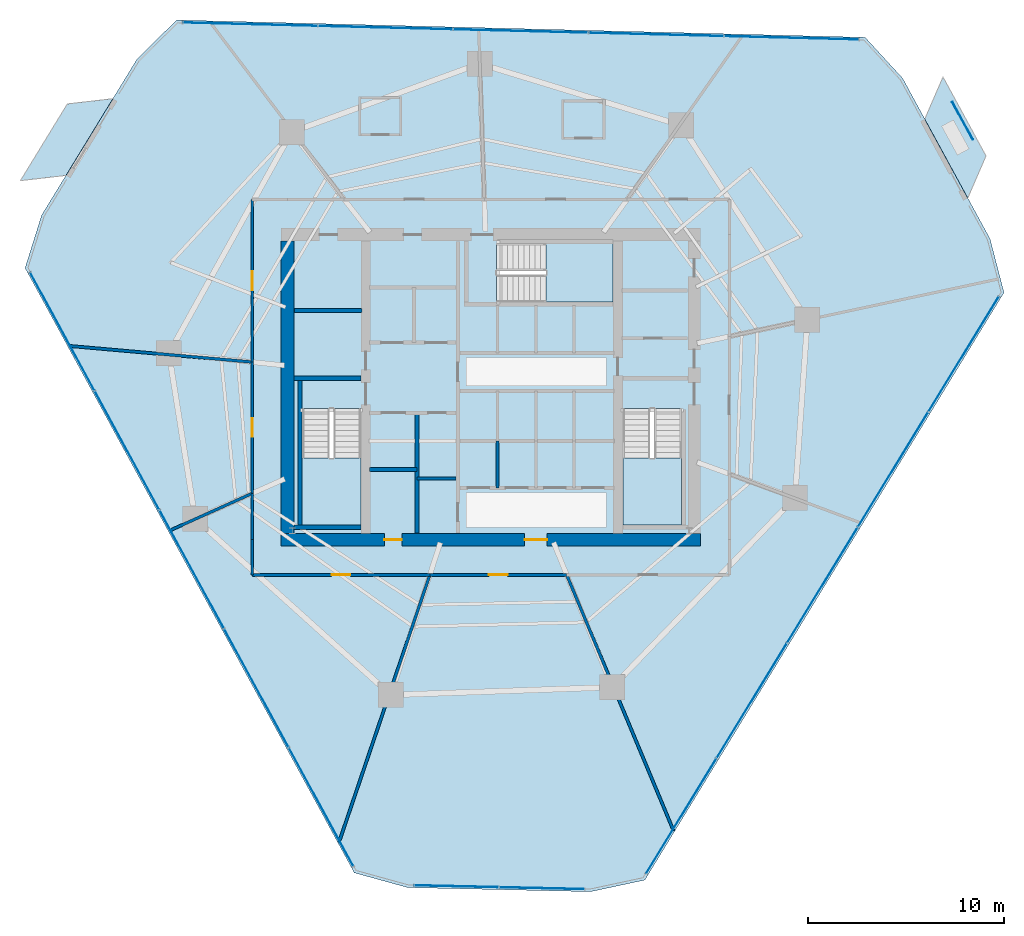
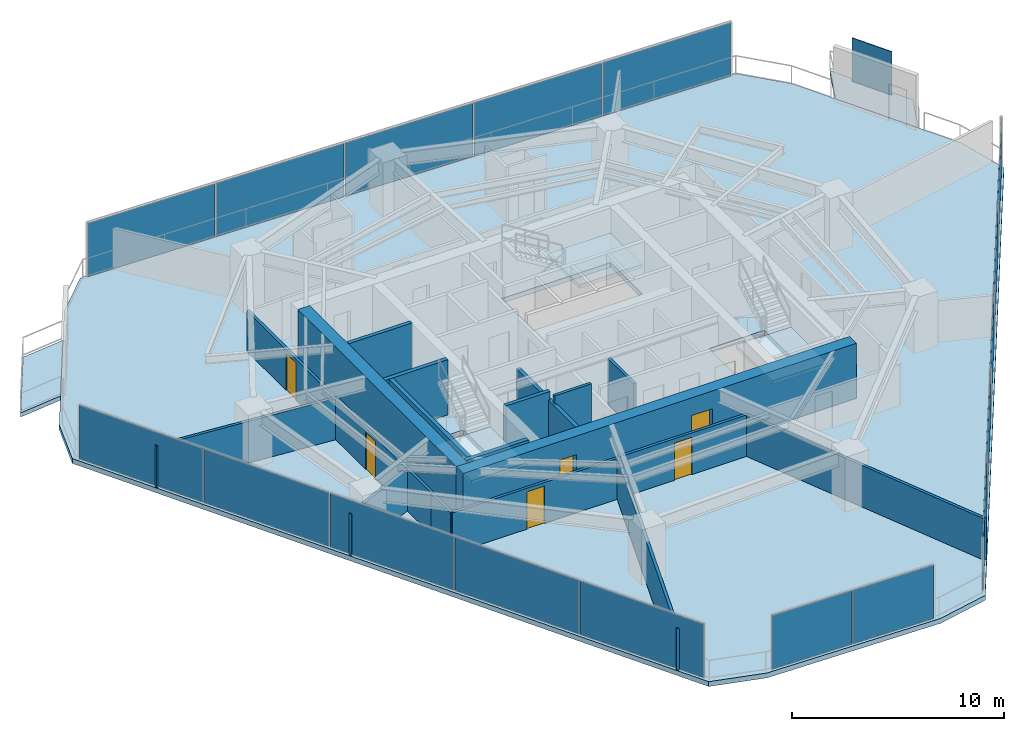
# One storey, part 23 of 30: 20 walls, 18 plates, 6 doors, 6 slabs, 6 openings, 7 elements without a shape of their own.
"""IFC4 building model written with IfcOpenShell, lengths in metres."""

from ifc_helpers import new_model, si_unit, direction, frame, frame_2d, origin, origin_2d, place, context, subcontext, project, spatial, polyline, rectangle, outline, extrude, material, layer, layer_set, type_object, element, fill, aggregate, save


model = new_model("IFC4")

# Units and contexts
model_context = context("Model", 3, precision=1e-05, world=origin(), true_north=direction((0.0, 1.0)))
body_context = subcontext(model_context, "Body", "Model", "MODEL_VIEW")
ifc_project = project(units=[si_unit("LENGTHUNIT", "METRE"), si_unit("AREAUNIT", "SQUARE_METRE"), si_unit("VOLUMEUNIT", "CUBIC_METRE"), si_unit("PLANEANGLEUNIT", "RADIAN"), si_unit("MASSUNIT", "GRAM", prefix="KILO")], contexts=[model_context])

# Site, building, storey
site_placement = place(None, origin())
site = spatial("IfcSite", under=ifc_project, at=site_placement, CompositionType="ELEMENT")
building_placement = place(site_placement, origin())
building = spatial("IfcBuilding", under=site, at=building_placement, Name="Qarnah Convention Tower", CompositionType="ELEMENT")
storey_placement = place(building_placement, frame((0.0, 0.0, 61.5)))
storey = spatial("IfcBuildingStorey", under=building, at=storey_placement, Name="L15", CompositionType="ELEMENT", Elevation=61.5)

# Curtain wall, plates
ifc_material_1 = material(Name="Tempered Low-E dark glass", Category="glass")
ifc_layer_1 = layer(ifc_material_1, 0.16796875)
ifc_layer_set_1 = layer_set([ifc_layer_1], Name="Tempered Low-E dark glass")
curtain_wall_type = type_object("IfcCurtainWallType", Name="CWS-01", PredefinedType="NOTDEFINED", material=ifc_layer_set_1)
curtain_wall_1_placement = place(storey_placement, origin())
curtain_wall_1 = element("IfcCurtainWall", 1, at=curtain_wall_1_placement, inside=storey, type_object=curtain_wall_type, Name="L15 unitised curtain wall CW-L15-F1", PredefinedType="NOTDEFINED")
ifc_layer_2 = layer(ifc_material_1, 0.028076171875)
ifc_layer_set_2 = layer_set([ifc_layer_2], Name="Tempered Low-E dark glass")
plate_type_1 = type_object("IfcPlateType", Name="PNL-T1", PredefinedType="CURTAIN_PANEL", material=ifc_layer_set_2)
plate_1_placement = place(storey_placement, frame((24.89208984375, 44.9580078125, 0.0400390625), z_axis=(0.0, 0.0, 1.0), x_axis=(0.999684752198, -0.025107692487, 0.0)))
plate_1 = element("IfcPlate", 2, at=plate_1_placement, type_object=plate_type_1, Name="CW-L15-F1 curtain panel 1.1", PredefinedType="CURTAIN_PANEL", context=body_context, shape_type="SweptSolid", body=[
    extrude(rectangle(XDim=6.84228515625, YDim=0.028076171875, at=origin_2d()), origin(), (0.0, 0.0, 1.0), 3.090087890625),
])
plate_2_placement = place(storey_placement, frame((31.81201171875, 44.7841796875, 0.0400390625), z_axis=(0.0, 0.0, 1.0), x_axis=(0.999684752198, -0.025107692487, 0.0)))
plate_2 = element("IfcPlate", 3, at=plate_2_placement, type_object=plate_type_1, Name="CW-L15-F1 curtain panel 2.1", PredefinedType="CURTAIN_PANEL", context=body_context, shape_type="SweptSolid", body=[
    extrude(rectangle(XDim=6.84228515625, YDim=0.028076171875, at=origin_2d()), origin(), (0.0, 0.0, 1.0), 3.090087890625),
])
plate_3_placement = place(storey_placement, frame((38.73193359375, 44.610595703125, 0.0400390625), z_axis=(0.0, 0.0, 1.0), x_axis=(0.999684752198, -0.025107692487, 0.0)))
plate_3 = element("IfcPlate", 4, at=plate_3_placement, type_object=plate_type_1, Name="CW-L15-F1 curtain panel 3.1", PredefinedType="CURTAIN_PANEL", context=body_context, shape_type="SweptSolid", body=[
    extrude(rectangle(XDim=6.84228515625, YDim=0.028076171875, at=origin_2d()), origin(), (0.0, 0.0, 1.0), 3.090087890625),
])
plate_4_placement = place(storey_placement, frame((45.652099609375, 44.436767578125, 0.0400390625), z_axis=(0.0, 0.0, 1.0), x_axis=(0.999684752198, -0.025107692487, 0.0)))
plate_4 = element("IfcPlate", 5, at=plate_4_placement, type_object=plate_type_1, Name="CW-L15-F1 curtain panel 4.1", PredefinedType="CURTAIN_PANEL", context=body_context, shape_type="SweptSolid", body=[
    extrude(rectangle(XDim=6.84228515625, YDim=0.028076171875, at=origin_2d()), origin(), (0.0, 0.0, 1.0), 3.090087890625),
])
plate_5_placement = place(storey_placement, frame((52.572021484375, 44.262939453125, 0.0400390625), z_axis=(0.0, 0.0, 1.0), x_axis=(0.999684752198, -0.025107692487, 0.0)))
plate_5 = element("IfcPlate", 6, at=plate_5_placement, type_object=plate_type_1, Name="CW-L15-F1 curtain panel 5.1", PredefinedType="CURTAIN_PANEL", context=body_context, shape_type="SweptSolid", body=[
    extrude(rectangle(XDim=6.84228515625, YDim=0.028076171875, at=origin_2d()), origin(), (0.0, 0.0, 1.0), 3.090087890625),
])
aggregate(curtain_wall_1, [plate_1, plate_2, plate_3, plate_4, plate_5])

curtain_wall_2_placement = place(storey_placement, origin())
curtain_wall_2 = element("IfcCurtainWall", 7, at=curtain_wall_2_placement, inside=storey, type_object=curtain_wall_type, Name="L15 unitised curtain wall CW-L15-F2", PredefinedType="NOTDEFINED")
plate_6_placement = place(storey_placement, frame((61.375732421875, 28.088134765625, 0.0400390625), z_axis=(0.0, 0.0, 1.0), x_axis=(-0.52160777824, -0.853185399359, 0.0)))
plate_6 = element("IfcPlate", 8, at=plate_6_placement, type_object=plate_type_1, Name="CW-L15-F2 curtain panel 1.1", PredefinedType="CURTAIN_PANEL", context=body_context, shape_type="SweptSolid", body=[
    extrude(rectangle(XDim=6.842041015625, YDim=0.028076171875, at=origin_2d()), origin(), (0.0, 0.0, 1.0), 3.090087890625),
])
plate_7_placement = place(storey_placement, frame((57.76513671875, 22.182373046875, 0.0400390625), z_axis=(0.0, 0.0, 1.0), x_axis=(-0.52160777824, -0.853185399359, 0.0)))
plate_7 = element("IfcPlate", 9, at=plate_7_placement, type_object=plate_type_1, Name="CW-L15-F2 curtain panel 2.1", PredefinedType="CURTAIN_PANEL", context=body_context, shape_type="SweptSolid", body=[
    extrude(rectangle(XDim=6.842041015625, YDim=0.028076171875, at=origin_2d()), origin(), (0.0, 0.0, 1.0), 3.090087890625),
])
plate_8_placement = place(storey_placement, frame((54.154541015625, 16.276611328125, 0.0400390625), z_axis=(0.0, 0.0, 1.0), x_axis=(-0.52160777824, -0.853185399359, 0.0)))
plate_8 = element("IfcPlate", 10, at=plate_8_placement, type_object=plate_type_1, Name="CW-L15-F2 curtain panel 3.1", PredefinedType="CURTAIN_PANEL", context=body_context, shape_type="SweptSolid", body=[
    extrude(rectangle(XDim=6.842041015625, YDim=0.028076171875, at=origin_2d()), origin(), (0.0, 0.0, 1.0), 3.090087890625),
])
plate_9_placement = place(storey_placement, frame((50.5439453125, 10.37060546875, 0.0400390625), z_axis=(0.0, 0.0, 1.0), x_axis=(-0.52160777824, -0.853185399359, 0.0)))
plate_9 = element("IfcPlate", 11, at=plate_9_placement, type_object=plate_type_1, Name="CW-L15-F2 curtain panel 4.1", PredefinedType="CURTAIN_PANEL", context=body_context, shape_type="SweptSolid", body=[
    extrude(rectangle(XDim=6.842041015625, YDim=0.028076171875, at=origin_2d()), origin(), (0.0, 0.0, 1.0), 3.090087890625),
])
plate_10_placement = place(storey_placement, frame((46.933349609375, 4.46484375, 0.0400390625), z_axis=(0.0, 0.0, 1.0), x_axis=(-0.52160777824, -0.853185399359, 0.0)))
plate_10 = element("IfcPlate", 12, at=plate_10_placement, type_object=plate_type_1, Name="CW-L15-F2 curtain panel 5.1", PredefinedType="CURTAIN_PANEL", context=body_context, shape_type="SweptSolid", body=[
    extrude(rectangle(XDim=6.842041015625, YDim=0.028076171875, at=origin_2d()), origin(), (0.0, 0.0, 1.0), 3.090087890625),
])
aggregate(curtain_wall_2, [plate_6, plate_7, plate_8, plate_9, plate_10])

curtain_wall_3_placement = place(storey_placement, origin())
curtain_wall_3 = element("IfcCurtainWall", 13, at=curtain_wall_3_placement, inside=storey, type_object=curtain_wall_type, Name="L15 unitised curtain wall CW-L15-F3", PredefinedType="NOTDEFINED")
plate_11_placement = place(storey_placement, frame((28.5234375, 4.927001953125, 0.0400390625), z_axis=(0.0, 0.0, 1.0), x_axis=(-0.478066483935, 0.878323651588, 0.0)))
plate_11 = element("IfcPlate", 14, at=plate_11_placement, type_object=plate_type_1, Name="CW-L15-F3 curtain panel 1.1", PredefinedType="CURTAIN_PANEL", context=body_context, shape_type="SweptSolid", body=[
    extrude(rectangle(XDim=6.842041015625, YDim=0.028076171875, at=origin_2d()), origin(), (0.0, 0.0, 1.0), 3.090087890625),
])
plate_12_placement = place(storey_placement, frame((25.214111328125, 11.006591796875, 0.0400390625), z_axis=(0.0, 0.0, 1.0), x_axis=(-0.478066483935, 0.878323651588, 0.0)))
plate_12 = element("IfcPlate", 15, at=plate_12_placement, type_object=plate_type_1, Name="CW-L15-F3 curtain panel 2.1", PredefinedType="CURTAIN_PANEL", context=body_context, shape_type="SweptSolid", body=[
    extrude(rectangle(XDim=6.842041015625, YDim=0.028076171875, at=origin_2d()), origin(), (0.0, 0.0, 1.0), 3.090087890625),
])
plate_13_placement = place(storey_placement, frame((21.905029296875, 17.08642578125, 0.0400390625), z_axis=(0.0, 0.0, 1.0), x_axis=(-0.478066483935, 0.878323651588, 0.0)))
plate_13 = element("IfcPlate", 16, at=plate_13_placement, type_object=plate_type_1, Name="CW-L15-F3 curtain panel 3.1", PredefinedType="CURTAIN_PANEL", context=body_context, shape_type="SweptSolid", body=[
    extrude(rectangle(XDim=6.842041015625, YDim=0.028076171875, at=origin_2d()), origin(), (0.0, 0.0, 1.0), 3.090087890625),
])
plate_14_placement = place(storey_placement, frame((18.595703125, 23.166259765625, 0.0400390625), z_axis=(0.0, 0.0, 1.0), x_axis=(-0.478066483935, 0.878323651588, 0.0)))
plate_14 = element("IfcPlate", 17, at=plate_14_placement, type_object=plate_type_1, Name="CW-L15-F3 curtain panel 4.1", PredefinedType="CURTAIN_PANEL", context=body_context, shape_type="SweptSolid", body=[
    extrude(rectangle(XDim=6.842041015625, YDim=0.028076171875, at=origin_2d()), origin(), (0.0, 0.0, 1.0), 3.090087890625),
])
plate_15_placement = place(storey_placement, frame((15.28662109375, 29.24609375, 0.0400390625), z_axis=(0.0, 0.0, 1.0), x_axis=(-0.478066483935, 0.878323651588, 0.0)))
plate_15 = element("IfcPlate", 18, at=plate_15_placement, type_object=plate_type_1, Name="CW-L15-F3 curtain panel 5.1", PredefinedType="CURTAIN_PANEL", context=body_context, shape_type="SweptSolid", body=[
    extrude(rectangle(XDim=6.842041015625, YDim=0.028076171875, at=origin_2d()), origin(), (0.0, 0.0, 1.0), 3.090087890625),
])
aggregate(curtain_wall_3, [plate_11, plate_12, plate_13, plate_14, plate_15])

curtain_wall_4_placement = place(storey_placement, origin())
curtain_wall_4 = element("IfcCurtainWall", 19, at=curtain_wall_4_placement, inside=storey, type_object=curtain_wall_type, Name="L15 unitised curtain wall CW-L15-F4", PredefinedType="NOTDEFINED")
plate_16_placement = place(storey_placement, frame((39.818603515625, 0.77587890625, 0.0400390625), z_axis=(0.0, 0.0, 1.0), x_axis=(-0.99974921432, 0.022394384696, 0.0)))
plate_16 = element("IfcPlate", 20, at=plate_16_placement, type_object=plate_type_1, Name="CW-L15-F4 curtain panel 1.1", PredefinedType="CURTAIN_PANEL", context=body_context, shape_type="SweptSolid", body=[
    extrude(rectangle(XDim=4.296142578125, YDim=0.028076171875, at=origin_2d()), origin(), (0.0, 0.0, 1.0), 3.090087890625),
])
plate_17_placement = place(storey_placement, frame((35.443603515625, 0.8740234375, 0.0400390625), z_axis=(0.0, 0.0, 1.0), x_axis=(-0.99974921432, 0.022394384696, 0.0)))
plate_17 = element("IfcPlate", 21, at=plate_17_placement, type_object=plate_type_1, Name="CW-L15-F4 curtain panel 2.1", PredefinedType="CURTAIN_PANEL", context=body_context, shape_type="SweptSolid", body=[
    extrude(rectangle(XDim=4.296142578125, YDim=0.028076171875, at=origin_2d()), origin(), (0.0, 0.0, 1.0), 3.090087890625),
])
aggregate(curtain_wall_4, [plate_16, plate_17])

# Plate
ifc_material_2 = material(Name="Black anodised aluminium", Category="aluminium")
ifc_layer_3 = layer(ifc_material_2, 0.044921875)
ifc_layer_set_3 = layer_set([ifc_layer_3], Name="Black anodised aluminium")
plate_type_2 = type_object("IfcPlateType", Name="SCR-BAL-18", PredefinedType="USERDEFINED", material=ifc_layer_set_3)
plate_18_placement = place(storey_placement, frame((61.324951171875, 40.02099609375, 0.0), z_axis=(0.0, 0.0, 1.0), x_axis=(0.478075727681, -0.878318620207, 0.0)))
element("IfcPlate", 22, at=plate_18_placement, inside=storey, type_object=plate_type_2, Name="L15 perforated desert solar screen BAL-L15-C1", ObjectType="SCREEN", PredefinedType="USERDEFINED", context=body_context, shape_type="SweptSolid", body=[
    extrude(rectangle(XDim=2.199951171875, YDim=0.044921875, at=origin_2d()), origin(), (0.0, 0.0, 1.0), 2.5),
])

# Slabs
ifc_material_3 = material(Name="Concrete C45/55", Category="concrete")
ifc_layer_4 = layer(ifc_material_3, 0.239990234375)
ifc_layer_set_4 = layer_set([ifc_layer_4], Name="Concrete C45/55")
slab_type_1 = type_object("IfcSlabType", Name="SLB-BAL-240", PredefinedType="USERDEFINED", material=ifc_layer_set_4)
slab_1_placement = place(storey_placement, frame((0.0, 0.0, -0.239990234375)))
element("IfcSlab", 23, at=slab_1_placement, inside=storey, type_object=slab_type_1, Name="L15 cantilevered balcony slab BAL-L15-C1", ObjectType="BALCONY", PredefinedType="USERDEFINED", context=body_context, shape_type="SweptSolid", body=[
    extrude(outline(polyline([(60.321044921875, 42.260986328125), (62.52001953125, 38.220947265625), (61.5859375, 36.068115234375), (59.386962890625, 40.10791015625), (60.321044921875, 42.260986328125)])), origin(), (0.0, 0.0, 1.0), 0.239990234375),
])
slab_2_placement = place(storey_placement, frame((0.0, 0.0, -0.239990234375)))
element("IfcSlab", 24, at=slab_2_placement, inside=storey, type_object=slab_type_1, Name="L15 cantilevered balcony slab BAL-L15-C2", ObjectType="BALCONY", PredefinedType="USERDEFINED", context=body_context, shape_type="SweptSolid", body=[
    extrude(outline(polyline([(13.14501953125, 36.9580078125), (15.544921875, 40.882080078125), (17.8759765625, 41.14990234375), (15.47705078125, 37.22607421875), (13.14501953125, 36.9580078125)])), origin(), (0.0, 0.0, 1.0), 0.239990234375),
])

# Stair, slab
ifc_material_4 = material(Name="Concrete C50/60", Category="concrete")
stair_type = type_object("IfcStairType", Name="STR-HTL", PredefinedType="HALF_TURN_STAIR", material=ifc_material_4)
stair_1_placement = place(storey_placement, origin())
stair_1 = element("IfcStair", 25, at=stair_1_placement, inside=storey, type_object=stair_type, Name="L15 Core exit stair ST-1", PredefinedType="HALF_TURN_STAIR")
ifc_layer_5 = layer(ifc_material_4, 0.199951171875)
ifc_layer_set_5 = layer_set([ifc_layer_5], Name="Concrete C50/60")
slab_type_2 = type_object("IfcSlabType", Name="SLB-LANDING-200", PredefinedType="LANDING", material=ifc_layer_set_5)
slab_3_placement = place(storey_placement, frame((0.0, 0.0, 1.52490234375)))
slab_3 = element("IfcSlab", 26, at=slab_3_placement, type_object=slab_type_2, Name="ST-1 landing 1", PredefinedType="LANDING", context=body_context, shape_type="SweptSolid", body=[
    extrude(outline(polyline([(27.550048828125, 22.780029296875), (27.550048828125, 19.35009765625), (30.550048828125, 19.35009765625), (30.550048828125, 22.780029296875), (27.550048828125, 22.780029296875)])), origin(), (0.0, 0.0, 1.0), 0.2001953125),
])
aggregate(stair_1, [slab_3])

stair_2_placement = place(storey_placement, origin())
stair_2 = element("IfcStair", 27, at=stair_2_placement, inside=storey, type_object=stair_type, Name="L15 Core exit stair ST-2", PredefinedType="HALF_TURN_STAIR")
slab_4_placement = place(storey_placement, frame((0.0, 0.0, 1.52490234375)))
slab_4 = element("IfcSlab", 28, at=slab_4_placement, type_object=slab_type_2, Name="ST-2 landing 1", PredefinedType="LANDING", context=body_context, shape_type="SweptSolid", body=[
    extrude(outline(polyline([(43.949951171875, 22.780029296875), (43.949951171875, 19.35009765625), (46.949951171875, 19.35009765625), (46.949951171875, 22.780029296875), (43.949951171875, 22.780029296875)])), origin(), (0.0, 0.0, 1.0), 0.2001953125),
])
aggregate(stair_2, [slab_4])

stair_3_placement = place(storey_placement, origin())
stair_3 = element("IfcStair", 29, at=stair_3_placement, inside=storey, type_object=stair_type, Name="L15 Core exit stair ST-3", PredefinedType="HALF_TURN_STAIR")
slab_5_placement = place(storey_placement, frame((0.0, 0.0, 1.52490234375)))
slab_5 = element("IfcSlab", 30, at=slab_5_placement, type_object=slab_type_2, Name="ST-3 landing 1", PredefinedType="LANDING", context=body_context, shape_type="SweptSolid", body=[
    extrude(outline(polyline([(40.02001953125, 30.75), (43.449951171875, 30.75), (43.449951171875, 33.75), (40.02001953125, 33.75), (40.02001953125, 30.75)])), origin(), (0.0, 0.0, 1.0), 0.2001953125),
])
aggregate(stair_3, [slab_5])

# Slab
ifc_layer_6 = layer(ifc_material_3, 0.280029296875)
ifc_layer_set_6 = layer_set([ifc_layer_6], Name="Concrete C45/55")
slab_type_3 = type_object("IfcSlabType", Name="SLB-TWR-280", PredefinedType="FLOOR", material=ifc_layer_set_6)
slab_6_placement = place(storey_placement, frame((0.0, 0.0, -0.280029296875)))
element("IfcSlab", 31, at=slab_6_placement, inside=storey, type_object=slab_type_3, Name="L15 structural floor slab", PredefinedType="FLOOR", context=body_context, shape_type="SweptSolid", body=[
    extrude(outline(polyline([(56.3349609375, 44.2880859375), (21.135009765625, 45.173095703125), (19.112060546875, 43.179931640625), (14.23388671875, 35.200927734375), (13.383056640625, 32.491943359375), (30.216064453125, 1.56591796875), (32.952880859375, 0.81005859375), (42.302978515625, 0.60009765625), (45.073974609375, 1.193115234375), (63.43994140625, 31.23388671875), (62.72607421875, 33.98193359375), (58.2548828125, 42.197021484375), (56.3349609375, 44.2880859375)]), holes=[polyline([(27.550048828125, 25.300048828125), (27.550048828125, 19.35009765625), (30.550048828125, 19.35009765625), (30.550048828125, 25.300048828125), (27.550048828125, 25.300048828125)]), polyline([(43.949951171875, 25.300048828125), (43.949951171875, 19.35009765625), (46.949951171875, 19.35009765625), (46.949951171875, 25.300048828125), (43.949951171875, 25.300048828125)]), polyline([(37.5, 30.75), (43.449951171875, 30.75), (43.449951171875, 33.75), (37.5, 33.75), (37.5, 30.75)])]), origin(), (0.0, 0.0, 1.0), 0.280029296875),
])

# Wall, openings, doors
ifc_material_5 = material(Name="Concrete C60/75", Category="concrete")
ifc_layer_7 = layer(ifc_material_5, 0.64990234375)
ifc_layer_set_7 = layer_set([ifc_layer_7], Name="Concrete C60/75")
wall_type_1 = type_object("IfcWallType", Name="WL-CORE-650", PredefinedType="SHEAR", material=ifc_layer_set_7)
wall_1_placement = place(storey_placement, frame((26.47509765625, 18.60009765625, 0.0), z_axis=(0.0, 0.0, 1.0), x_axis=(1.0, 0.0, 0.0)))
wall_1 = element("IfcWall", 32, at=wall_1_placement, inside=storey, type_object=wall_type_1, Name="L15 core south shear wall", PredefinedType="SHEAR", context=body_context, shape_type="SweptSolid", body=[
    extrude(rectangle(XDim=21.449951171875, YDim=0.64990234375, at=frame_2d((10.72509765625, 0.0))), origin(), (0.0, 0.0, 1.0), 3.169921875),
])
opening_1_placement = place(wall_1_placement, frame((12.449951171875, 0.0, 0.0)))
opening_1 = element("IfcOpeningElement", 33, at=opening_1_placement, cuts=wall_1, Name="Opening D-1507", PredefinedType="OPENING", context=body_context, shape_type="SweptSolid", body=[
    extrude(rectangle(XDim=1.14990234375, YDim=2.14990234375, at=frame_2d((0.574951171875, 1.074951171875))), frame((0.0, 0.3349609375, 0.0), z_axis=(0.0, -1.0, 0.0), x_axis=(1.0, 0.0, 0.0)), (0.0, 0.0, 1.0), 0.669921875),
])
opening_2_placement = place(wall_1_placement, frame((5.27490234375, 0.0, 0.0)))
opening_2 = element("IfcOpeningElement", 34, at=opening_2_placement, cuts=wall_1, Name="Opening D-1513", PredefinedType="OPENING", context=body_context, shape_type="SweptSolid", body=[
    extrude(rectangle(XDim=0.89990234375, YDim=2.10009765625, at=frame_2d((0.449951171875, 1.050048828125))), frame((0.0, 0.3349609375, 0.0), z_axis=(0.0, -1.0, 0.0), x_axis=(1.0, 0.0, 0.0)), (0.0, 0.0, 1.0), 0.669921875),
])
ifc_material_6 = material(Name="Structural steel S355JR", Category="steel")
door_type_1 = type_object("IfcDoorType", Name="DT-LOBBY-1150", OperationType="NOTDEFINED", PredefinedType="DOOR", material=ifc_material_6)
door_1_placement = place(opening_1_placement, origin())
door_1 = element("IfcDoor", 35, at=door_1_placement, inside=storey, type_object=door_type_1, Name="Door D-1507", OperationType="SINGLE_SWING_LEFT", OverallHeight=2.14990234375, OverallWidth=1.14990234375, PredefinedType="DOOR", context=body_context, shape_type="SweptSolid", body=[
    extrude(rectangle(XDim=1.14990234375, YDim=2.14990234375, at=frame_2d((0.574951171875, 1.074951171875))), frame((0.0, 0.02490234375, 0.0), z_axis=(0.0, -1.0, 0.0), x_axis=(1.0, 0.0, 0.0)), (0.0, 0.0, 1.0), 0.050048828125),
])
fill(opening_1, door_1)
door_type_2 = type_object("IfcDoorType", Name="DT-RISER-900", OperationType="NOTDEFINED", PredefinedType="DOOR", material=ifc_material_6)
door_2_placement = place(opening_2_placement, origin())
door_2 = element("IfcDoor", 36, at=door_2_placement, inside=storey, type_object=door_type_2, Name="Door D-1513", OperationType="SINGLE_SWING_LEFT", OverallHeight=2.10009765625, OverallWidth=0.89990234375, PredefinedType="DOOR", context=body_context, shape_type="SweptSolid", body=[
    extrude(rectangle(XDim=0.89990234375, YDim=2.10009765625, at=frame_2d((0.449951171875, 1.050048828125))), frame((0.0, 0.02490234375, 0.0), z_axis=(0.0, -1.0, 0.0), x_axis=(1.0, 0.0, 0.0)), (0.0, 0.0, 1.0), 0.050048828125),
])
fill(opening_2, door_2)

# Walls
wall_2_placement = place(storey_placement, frame((26.800048828125, 18.925048828125, 0.0), z_axis=(0.0, 0.0, 1.0), x_axis=(0.0, 1.0, 0.0)))
element("IfcWall", 37, at=wall_2_placement, inside=storey, type_object=wall_type_1, Name="L15 core west shear wall", PredefinedType="SHEAR", context=body_context, shape_type="SweptSolid", body=[
    extrude(rectangle(XDim=14.949951171875, YDim=0.64990234375, at=frame_2d((7.47509765625, 0.0))), origin(), (0.0, 0.0, 1.0), 3.169921875),
])
ifc_layer_8 = layer(ifc_material_3, 0.199951171875)
ifc_layer_set_8 = layer_set([ifc_layer_8], Name="Concrete C45/55")
wall_type_2 = type_object("IfcWallType", Name="WL-CORE-PART-200", PredefinedType="SOLIDWALL", material=ifc_layer_set_8)
wall_3_placement = place(storey_placement, frame((27.14990234375, 30.320068359375, 0.0), z_axis=(0.0, 0.0, 1.0), x_axis=(1.0, 0.0, 0.0)))
element("IfcWall", 38, at=wall_3_placement, inside=storey, type_object=wall_type_2, Name="L15 interior wall IW-L15-ELRN", PredefinedType="SOLIDWALL", context=body_context, shape_type="SweptSolid", body=[
    extrude(rectangle(XDim=3.4501953125, YDim=0.199951171875, at=frame_2d((1.72509765625, 0.0))), origin(), (0.0, 0.0, 1.0), 3.169921875),
])
wall_4_placement = place(storey_placement, frame((33.419921875, 18.949951171875, 0.0), z_axis=(0.0, 0.0, 1.0), x_axis=(0.0, 1.0, 0.0)))
element("IfcWall", 39, at=wall_4_placement, inside=storey, type_object=wall_type_2, Name="L15 interior wall IW-L15-SVLE", PredefinedType="SOLIDWALL", context=body_context, shape_type="SweptSolid", body=[
    extrude(rectangle(XDim=6.130126953125, YDim=0.199951171875, at=frame_2d((3.06494140625, 0.0))), origin(), (0.0, 0.0, 1.0), 2.69091796875),
])
wall_5_placement = place(storey_placement, frame((31.0, 22.179931640625, 0.0), z_axis=(0.0, 0.0, 1.0), x_axis=(1.0, 0.0, 0.0)))
element("IfcWall", 40, at=wall_5_placement, inside=storey, type_object=wall_type_2, Name="L15 interior wall IW-L15-SVLS", PredefinedType="SOLIDWALL", context=body_context, shape_type="SweptSolid", body=[
    extrude(rectangle(XDim=2.419921875, YDim=0.199951171875, at=frame_2d((1.2099609375, 0.0))), origin(), (0.0, 0.0, 1.0), 3.169921875),
])
ifc_layer_9 = layer(ifc_material_5, 0.219970703125)
ifc_layer_set_9 = layer_set([ifc_layer_9], Name="Concrete C60/75")
wall_type_3 = type_object("IfcWallType", Name="WL-CORE-STAIR-220", PredefinedType="SHEAR", material=ifc_layer_set_9)
wall_6_placement = place(storey_placement, frame((27.125, 26.860107421875, 0.0), z_axis=(0.0, 0.0, 1.0), x_axis=(1.0, 0.0, 0.0)))
element("IfcWall", 41, at=wall_6_placement, inside=storey, type_object=wall_type_3, Name="L15 stair shaft shear wall SW-L15-ST1N", PredefinedType="SHEAR", context=body_context, shape_type="SweptSolid", body=[
    extrude(rectangle(XDim=3.425048828125, YDim=0.219970703125, at=frame_2d((1.71240234375, 0.0))), origin(), (0.0, 0.0, 1.0), 3.169921875),
])
wall_7_placement = place(storey_placement, frame((27.43994140625, 19.35009765625, 0.0), z_axis=(0.0, 0.0, 1.0), x_axis=(0.0, 1.0, 0.0)))
element("IfcWall", 42, at=wall_7_placement, inside=storey, type_object=wall_type_3, Name="L15 stair shaft shear wall SW-L15-ST1W", PredefinedType="SHEAR", context=body_context, shape_type="SweptSolid", body=[
    extrude(rectangle(XDim=7.39990234375, YDim=0.219970703125, at=frame_2d((3.699951171875, 0.0))), origin(), (0.0, 0.0, 1.0), 3.169921875),
])
wall_8_placement = place(storey_placement, frame((27.125, 19.239990234375, 0.0), z_axis=(0.0, 0.0, 1.0), x_axis=(1.0, 0.0, 0.0)))
element("IfcWall", 43, at=wall_8_placement, inside=storey, type_object=wall_type_3, Name="L15 stair shaft shear wall SW-L15-ST1S", PredefinedType="SHEAR", context=body_context, shape_type="SweptSolid", body=[
    extrude(rectangle(XDim=3.425048828125, YDim=0.219970703125, at=frame_2d((1.71240234375, 0.0))), origin(), (0.0, 0.0, 1.0), 3.169921875),
])
ifc_material_7 = material(Name="Gypsum partition board")
ifc_layer_10 = layer(ifc_material_7, 0.14990234375)
ifc_layer_set_10 = layer_set([ifc_layer_10], Name="Gypsum partition board")
wall_type_4 = type_object("IfcWallType", Name="WL-SUITE-150", PredefinedType="PARTITIONING", material=ifc_layer_set_10)
wall_9_placement = place(storey_placement, frame((33.419921875, 21.719970703125, 0.0), z_axis=(0.0, 0.0, 1.0), x_axis=(1.0, 0.0, 0.0)))
element("IfcWall", 44, at=wall_9_placement, inside=storey, type_object=wall_type_4, Name="L15 interior wall IW-L15-CSV1", PredefinedType="PARTITIONING", context=body_context, shape_type="SweptSolid", body=[
    extrude(rectangle(XDim=2.0, YDim=0.14990234375, at=frame_2d((1.0, 0.0))), origin(), (0.0, 0.0, 1.0), 3.169921875),
])
wall_10_placement = place(storey_placement, frame((37.550048828125, 21.25, 0.0), z_axis=(0.0, 0.0, 1.0), x_axis=(0.0, 1.0, 0.0)))
element("IfcWall", 45, at=wall_10_placement, inside=storey, type_object=wall_type_4, Name="L15 interior wall IW-L15-PLD1", PredefinedType="PARTITIONING", context=body_context, shape_type="SweptSolid", body=[
    extrude(rectangle(XDim=2.39990234375, YDim=0.14990234375, at=frame_2d((1.199951171875, 0.0))), origin(), (0.0, 0.0, 1.0), 2.69091796875),
])
wall_11_placement = place(storey_placement, frame((15.626953125, 28.508056640625, 0.0), z_axis=(0.0, 0.0, 1.0), x_axis=(0.996137863682, -0.087802941516, 0.0)))
element("IfcWall", 46, at=wall_11_placement, inside=storey, type_object=wall_type_4, Name="L15 interior wall IW-L15-R-18", PredefinedType="PARTITIONING", context=body_context, shape_type="SweptSolid", body=[
    extrude(rectangle(XDim=9.409423828125, YDim=0.14990234375, at=frame_2d((4.70458984375, 0.0))), origin(), (0.0, 0.0, 1.0), 2.39501953125),
])

# Wall, opening, door
wall_12_placement = place(storey_placement, frame((25.0, 27.681884765625, 0.0), z_axis=(0.0, 0.0, 1.0), x_axis=(0.0, 1.0, 0.0)))
wall_12 = element("IfcWall", 47, at=wall_12_placement, inside=storey, type_object=wall_type_4, Name="L15 interior wall IW-L15-R-19", PredefinedType="PARTITIONING", context=body_context, shape_type="SweptSolid", body=[
    extrude(rectangle(XDim=8.318115234375, YDim=0.14990234375, at=frame_2d((4.1591796875, 0.0))), origin(), (0.0, 0.0, 1.0), 2.35498046875),
])
opening_3_placement = place(wall_12_placement, frame((3.68408203125, 0.0, 0.0)))
opening_3 = element("IfcOpeningElement", 48, at=opening_3_placement, cuts=wall_12, Name="Opening D-1521", PredefinedType="OPENING", context=body_context, shape_type="SweptSolid", body=[
    extrude(rectangle(XDim=0.949951171875, YDim=2.14990234375, at=frame_2d((0.47509765625, 1.074951171875))), frame((0.0, 0.0849609375, 0.0), z_axis=(0.0, -1.0, 0.0), x_axis=(1.0, 0.0, 0.0)), (0.0, 0.0, 1.0), 0.169921875),
])
ifc_material_8 = material(Name="Oak timber veneer", Category="wood")
door_type_3 = type_object("IfcDoorType", Name="DT-HOTEL-950", OperationType="NOTDEFINED", PredefinedType="DOOR", material=ifc_material_8)
door_3_placement = place(opening_3_placement, origin())
door_3 = element("IfcDoor", 49, at=door_3_placement, inside=storey, type_object=door_type_3, Name="Door D-1521", OperationType="SINGLE_SWING_LEFT", OverallHeight=2.14990234375, OverallWidth=0.949951171875, PredefinedType="DOOR", context=body_context, shape_type="SweptSolid", body=[
    extrude(rectangle(XDim=0.949951171875, YDim=2.14990234375, at=frame_2d((0.47509765625, 1.074951171875))), frame((0.0, 0.02490234375, 0.0), z_axis=(0.0, -1.0, 0.0), x_axis=(1.0, 0.0, 0.0)), (0.0, 0.0, 1.0), 0.050048828125),
])
fill(opening_3, door_3)

# Wall
wall_13_placement = place(storey_placement, frame((20.781982421875, 19.06591796875, 0.0), z_axis=(0.0, 0.0, 1.0), x_axis=(0.911598388138, 0.411081961103, 0.0)))
element("IfcWall", 50, at=wall_13_placement, inside=storey, type_object=wall_type_4, Name="L15 interior wall IW-L15-R-22", PredefinedType="PARTITIONING", context=body_context, shape_type="SweptSolid", body=[
    extrude(rectangle(XDim=4.626953125, YDim=0.14990234375, at=frame_2d((2.3134765625, 0.0))), origin(), (0.0, 0.0, 1.0), 2.39501953125),
])

# Wall, opening, door
wall_14_placement = place(storey_placement, frame((25.0, 20.968017578125, 0.0), z_axis=(0.0, 0.0, 1.0), x_axis=(0.0, 1.0, 0.0)))
wall_14 = element("IfcWall", 51, at=wall_14_placement, inside=storey, type_object=wall_type_4, Name="L15 interior wall IW-L15-R-23", PredefinedType="PARTITIONING", context=body_context, shape_type="SweptSolid", body=[
    extrude(rectangle(XDim=6.7138671875, YDim=0.14990234375, at=frame_2d((3.35693359375, 0.0))), origin(), (0.0, 0.0, 1.0), 2.39501953125),
])
opening_4_placement = place(wall_14_placement, frame((2.882080078125, 0.0, 0.0)))
opening_4 = element("IfcOpeningElement", 52, at=opening_4_placement, cuts=wall_14, Name="Opening D-1522", PredefinedType="OPENING", context=body_context, shape_type="SweptSolid", body=[
    extrude(rectangle(XDim=0.949951171875, YDim=2.14990234375, at=frame_2d((0.47509765625, 1.074951171875))), frame((0.0, 0.0849609375, 0.0), z_axis=(0.0, -1.0, 0.0), x_axis=(1.0, 0.0, 0.0)), (0.0, 0.0, 1.0), 0.169921875),
])
door_4_placement = place(opening_4_placement, origin())
door_4 = element("IfcDoor", 53, at=door_4_placement, inside=storey, type_object=door_type_3, Name="Door D-1522", OperationType="SINGLE_SWING_RIGHT", OverallHeight=2.14990234375, OverallWidth=0.949951171875, PredefinedType="DOOR", context=body_context, shape_type="SweptSolid", body=[
    extrude(rectangle(XDim=0.949951171875, YDim=2.14990234375, at=frame_2d((0.47509765625, 1.074951171875))), frame((0.0, 0.02490234375, 0.0), z_axis=(0.0, -1.0, 0.0), x_axis=(1.0, 0.0, 0.0)), (0.0, 0.0, 1.0), 0.050048828125),
])
fill(opening_4, door_4)

# Wall
wall_15_placement = place(storey_placement, frame((29.43505859375, 3.123046875, 0.0), z_axis=(0.0, 0.0, 1.0), x_axis=(0.32164304162, 0.946861000241, 0.0)))
element("IfcWall", 54, at=wall_15_placement, inside=storey, type_object=wall_type_4, Name="L15 interior wall IW-L15-R-24", PredefinedType="PARTITIONING", context=body_context, shape_type="SweptSolid", body=[
    extrude(rectangle(XDim=14.444580078125, YDim=0.14990234375, at=frame_2d((7.22216796875, 0.0))), origin(), (0.0, 0.0, 1.0), 2.39501953125),
])

# Wall, opening, door
wall_16_placement = place(storey_placement, frame((34.0810546875, 16.800048828125, 0.0), z_axis=(0.0, 0.0, 1.0), x_axis=(-1.0, 0.0, 0.0)))
wall_16 = element("IfcWall", 55, at=wall_16_placement, inside=storey, type_object=wall_type_4, Name="L15 interior wall IW-L15-R-25", PredefinedType="PARTITIONING", context=body_context, shape_type="SweptSolid", body=[
    extrude(rectangle(XDim=9.0810546875, YDim=0.14990234375, at=frame_2d((4.54052734375, 0.0))), origin(), (0.0, 0.0, 1.0), 2.35498046875),
])
opening_5_placement = place(wall_16_placement, frame((4.06591796875, 0.0, 0.0)))
opening_5 = element("IfcOpeningElement", 56, at=opening_5_placement, cuts=wall_16, Name="Opening D-1523", PredefinedType="OPENING", context=body_context, shape_type="SweptSolid", body=[
    extrude(rectangle(XDim=0.949951171875, YDim=2.14990234375, at=frame_2d((0.47509765625, 1.074951171875))), frame((0.0, 0.0849609375, 0.0), z_axis=(0.0, -1.0, 0.0), x_axis=(1.0, 0.0, 0.0)), (0.0, 0.0, 1.0), 0.169921875),
])
door_5_placement = place(opening_5_placement, origin())
door_5 = element("IfcDoor", 57, at=door_5_placement, inside=storey, type_object=door_type_3, Name="Door D-1523", OperationType="SINGLE_SWING_LEFT", OverallHeight=2.14990234375, OverallWidth=0.949951171875, PredefinedType="DOOR", context=body_context, shape_type="SweptSolid", body=[
    extrude(rectangle(XDim=0.949951171875, YDim=2.14990234375, at=frame_2d((0.47509765625, 1.074951171875))), frame((0.0, 0.02490234375, 0.0), z_axis=(0.0, -1.0, 0.0), x_axis=(1.0, 0.0, 0.0)), (0.0, 0.0, 1.0), 0.050048828125),
])
fill(opening_5, door_5)

# Walls
wall_17_placement = place(storey_placement, frame((25.0, 16.800048828125, 0.0), z_axis=(0.0, 0.0, 1.0), x_axis=(0.0, 1.0, 0.0)))
element("IfcWall", 58, at=wall_17_placement, inside=storey, type_object=wall_type_4, Name="L15 interior wall IW-L15-R-26", PredefinedType="PARTITIONING", context=body_context, shape_type="SweptSolid", body=[
    extrude(rectangle(XDim=1.800048828125, YDim=0.14990234375, at=frame_2d((0.89990234375, 0.0))), origin(), (0.0, 0.0, 1.0), 2.35498046875),
])
wall_18_placement = place(storey_placement, frame((25.0, 18.60009765625, 0.0), z_axis=(0.0, 0.0, 1.0), x_axis=(0.0, 1.0, 0.0)))
element("IfcWall", 59, at=wall_18_placement, inside=storey, type_object=wall_type_4, Name="L15 interior wall IW-L15-R-27", PredefinedType="PARTITIONING", context=body_context, shape_type="SweptSolid", body=[
    extrude(rectangle(XDim=2.367919921875, YDim=0.14990234375, at=frame_2d((1.18408203125, 0.0))), origin(), (0.0, 0.0, 1.0), 2.39501953125),
])
wall_19_placement = place(storey_placement, frame((46.54296875, 3.718994140625, 0.0), z_axis=(0.0, 0.0, 1.0), x_axis=(-0.385422315123, 0.922740287949, 0.0)))
element("IfcWall", 60, at=wall_19_placement, inside=storey, type_object=wall_type_4, Name="L15 interior wall IW-L15-R-28", PredefinedType="PARTITIONING", context=body_context, shape_type="SweptSolid", body=[
    extrude(rectangle(XDim=14.17626953125, YDim=0.14990234375, at=frame_2d((7.088134765625, 0.0))), origin(), (0.0, 0.0, 1.0), 2.39501953125),
])

# Wall, opening, door
wall_20_placement = place(storey_placement, frame((41.0791015625, 16.800048828125, 0.0), z_axis=(0.0, 0.0, 1.0), x_axis=(-1.0, 0.0, 0.0)))
wall_20 = element("IfcWall", 61, at=wall_20_placement, inside=storey, type_object=wall_type_4, Name="L15 interior wall IW-L15-R-29", PredefinedType="PARTITIONING", context=body_context, shape_type="SweptSolid", body=[
    extrude(rectangle(XDim=6.998046875, YDim=0.14990234375, at=frame_2d((3.4990234375, 0.0))), origin(), (0.0, 0.0, 1.0), 2.39501953125),
])
opening_6_placement = place(wall_20_placement, frame((3.02392578125, 0.0, 0.0)))
opening_6 = element("IfcOpeningElement", 62, at=opening_6_placement, cuts=wall_20, Name="Opening D-1524", PredefinedType="OPENING", context=body_context, shape_type="SweptSolid", body=[
    extrude(rectangle(XDim=0.949951171875, YDim=2.14990234375, at=frame_2d((0.47509765625, 1.074951171875))), frame((0.0, 0.0849609375, 0.0), z_axis=(0.0, -1.0, 0.0), x_axis=(1.0, 0.0, 0.0)), (0.0, 0.0, 1.0), 0.169921875),
])
door_6_placement = place(opening_6_placement, origin())
door_6 = element("IfcDoor", 63, at=door_6_placement, inside=storey, type_object=door_type_3, Name="Door D-1524", OperationType="SINGLE_SWING_RIGHT", OverallHeight=2.14990234375, OverallWidth=0.949951171875, PredefinedType="DOOR", context=body_context, shape_type="SweptSolid", body=[
    extrude(rectangle(XDim=0.949951171875, YDim=2.14990234375, at=frame_2d((0.47509765625, 1.074951171875))), frame((0.0, 0.02490234375, 0.0), z_axis=(0.0, -1.0, 0.0), x_axis=(1.0, 0.0, 0.0)), (0.0, 0.0, 1.0), 0.050048828125),
])
fill(opening_6, door_6)

save(model, "model.ifc")
